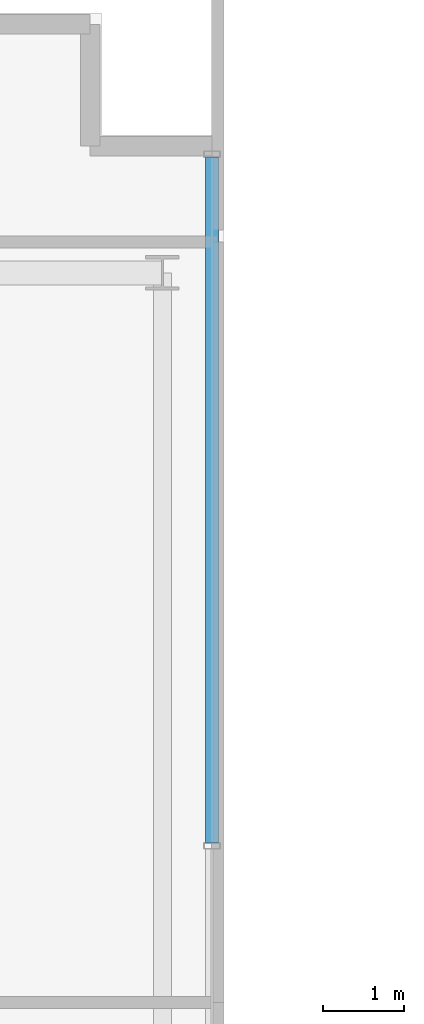
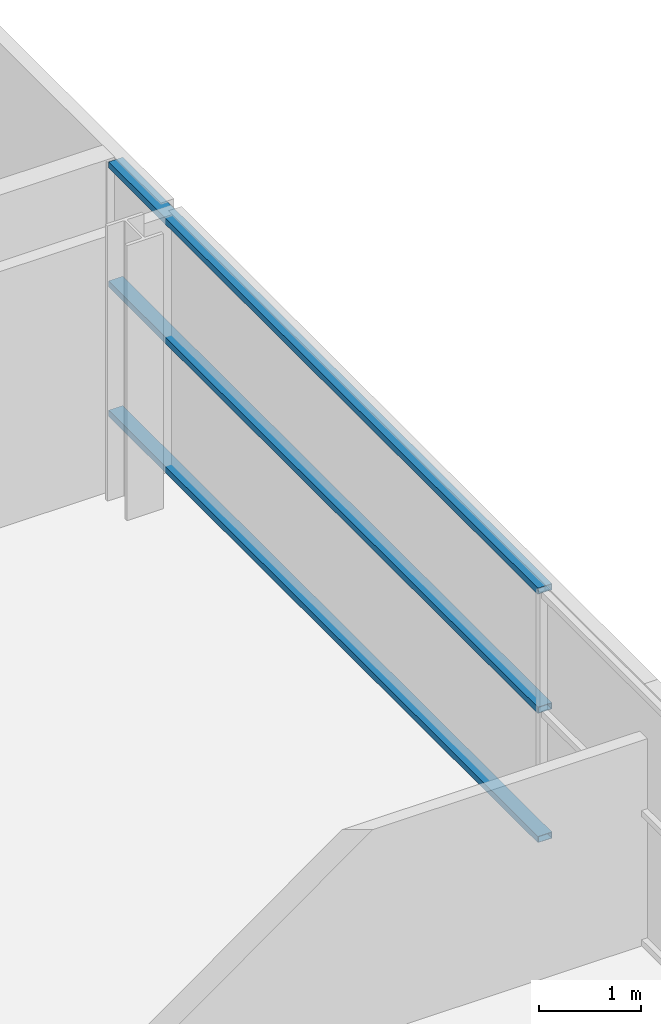
# One storey, part 12 of 26: 3 members, 1 element without a shape of its own.
"""IFC4 building model written with IfcOpenShell, lengths in metres."""

from ifc_helpers import new_model, si_unit, direction, frame, origin, origin_2d, place, context, subcontext, project, spatial, hollow_rectangle, extrude, source, transform, mapped, material, layer, layer_set, material_profile, profile_set, type_object, element, aggregate, save


model = new_model("IFC4")

# Units and contexts
model_context = context("Model", 3, precision=1e-05, world=origin(), true_north=direction((0.0, 1.0)))
body_context = subcontext(model_context, "Body", "Model", "MODEL_VIEW")
ifc_project = project(units=[si_unit("LENGTHUNIT", "METRE"), si_unit("AREAUNIT", "SQUARE_METRE"), si_unit("VOLUMEUNIT", "CUBIC_METRE"), si_unit("PLANEANGLEUNIT", "RADIAN"), si_unit("MASSUNIT", "GRAM", prefix="KILO")], contexts=[model_context])

# Site, building, storey
site_placement = place(None, origin())
site = spatial("IfcSite", under=ifc_project, at=site_placement, CompositionType="ELEMENT")
building_placement = place(site_placement, origin())
building = spatial("IfcBuilding", under=site, at=building_placement, Name="Zarnakvel Exchange Tower", CompositionType="ELEMENT")
storey_placement = place(building_placement, frame((0.0, 0.0, 63.699951171875)))
storey = spatial("IfcBuildingStorey", under=building, at=storey_placement, Name="L17", CompositionType="ELEMENT", Elevation=63.699951171875)

# Curtain wall, members
ifc_material = material(Name="Architectural Bronze Anodised Aluminium", Category="aluminium")
ifc_layer = layer(ifc_material, 0.199951171875)
ifc_layer_set = layer_set([ifc_layer], Name="Architectural Bronze Anodised Aluminium")
curtain_wall_type = type_object("IfcCurtainWallType", Name="CW-04", PredefinedType="NOTDEFINED", material=ifc_layer_set)
curtain_wall_placement = place(storey_placement, origin())
curtain_wall = element("IfcCurtainWall", 1, at=curtain_wall_placement, inside=storey, type_object=curtain_wall_type, Name="L17 Curtain Wall CW-L17-EN (CW-04)", PredefinedType="NOTDEFINED")
ifc_material_profile = material_profile(ifc_material, hollow_rectangle(XDim=0.159912109375, YDim=0.074951171875, WallThickness=0.00390625, at=origin_2d()))
ifc_profile_set = profile_set([ifc_material_profile], Name="Architectural Bronze Anodised Aluminium")
member_type = type_object("IfcMemberType", Name="CWT-04", PredefinedType="USERDEFINED", material=ifc_profile_set)
shared_shape = source(origin(), body_context, "Body", "SweptSolid", [
    extrude(hollow_rectangle(XDim=0.159912109375, YDim=0.074951171875, WallThickness=0.00390625, at=origin_2d()), origin(), (0.0, 0.0, 1.0), 8.4375),
])
member_1_placement = place(storey_placement, frame((32.4599609375, 6.487548828125, 0.03759765625), z_axis=(0.0, 1.0, 0.0), x_axis=(-1.0, 0.0, 0.0)))
member_1 = element("IfcMember", 2, at=member_1_placement, type_object=member_type, Name="CW-04 transom 2.1", ObjectType="TRANSOM", PredefinedType="USERDEFINED", context=body_context, shape_type="MappedRepresentation", body=[
    mapped(shared_shape, transform((0.0, 0.0, 0.0), x_axis=(1.0, 0.0, 0.0), y_axis=(0.0, 1.0, 0.0), z_axis=(0.0, 0.0, 1.0), scale=1.0)),
])
member_2_placement = place(storey_placement, frame((32.4599609375, 6.487548828125, 1.588623046875), z_axis=(0.0, 1.0, 0.0), x_axis=(-1.0, 0.0, 0.0)))
member_2 = element("IfcMember", 3, at=member_2_placement, type_object=member_type, Name="CW-04 transom 2.2", ObjectType="TRANSOM", PredefinedType="USERDEFINED", context=body_context, shape_type="MappedRepresentation", body=[
    mapped(shared_shape, transform((0.0, 0.0, 0.0), x_axis=(1.0, 0.0, 0.0), y_axis=(0.0, 1.0, 0.0), z_axis=(0.0, 0.0, 1.0), scale=1.0)),
])
member_3_placement = place(storey_placement, frame((32.4599609375, 6.487548828125, 3.017578125), z_axis=(0.0, 1.0, 0.0), x_axis=(-1.0, 0.0, 0.0)))
member_3 = element("IfcMember", 4, at=member_3_placement, type_object=member_type, Name="CW-04 transom 2.3", ObjectType="TRANSOM", PredefinedType="USERDEFINED", context=body_context, shape_type="MappedRepresentation", body=[
    mapped(shared_shape, transform((0.0, 0.0, 0.0), x_axis=(1.0, 0.0, 0.0), y_axis=(0.0, 1.0, 0.0), z_axis=(0.0, 0.0, 1.0), scale=1.0)),
])
aggregate(curtain_wall, [member_1, member_2, member_3])

save(model, "model.ifc")
